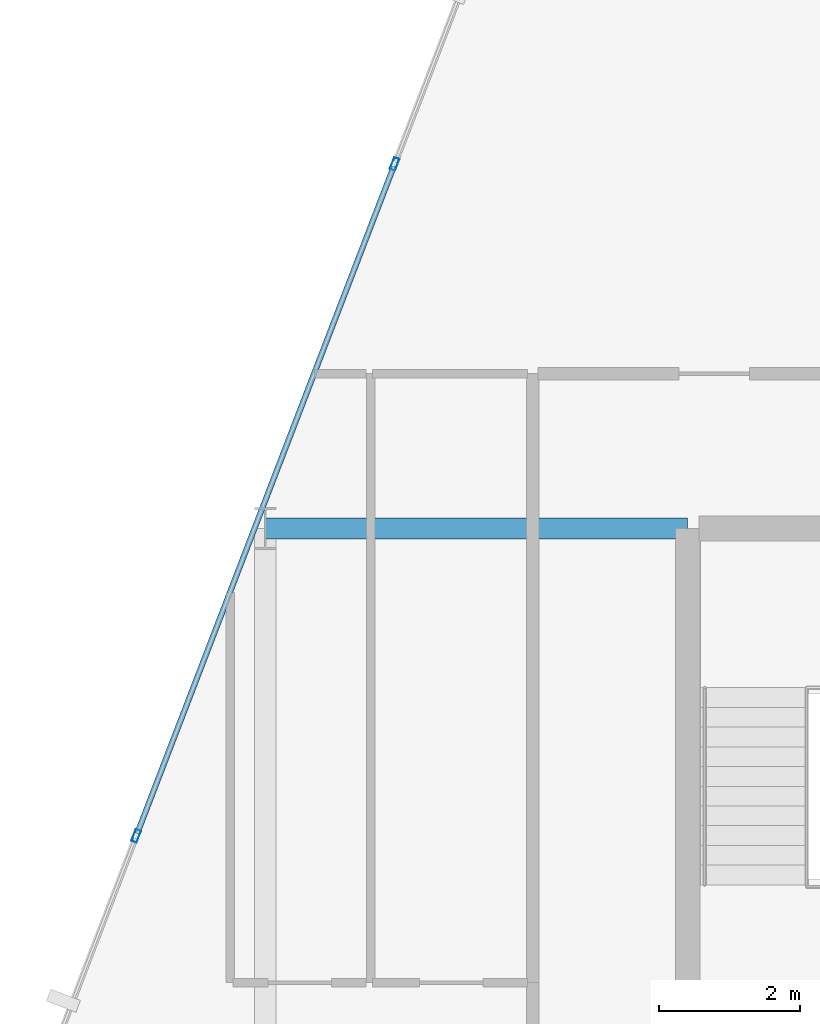
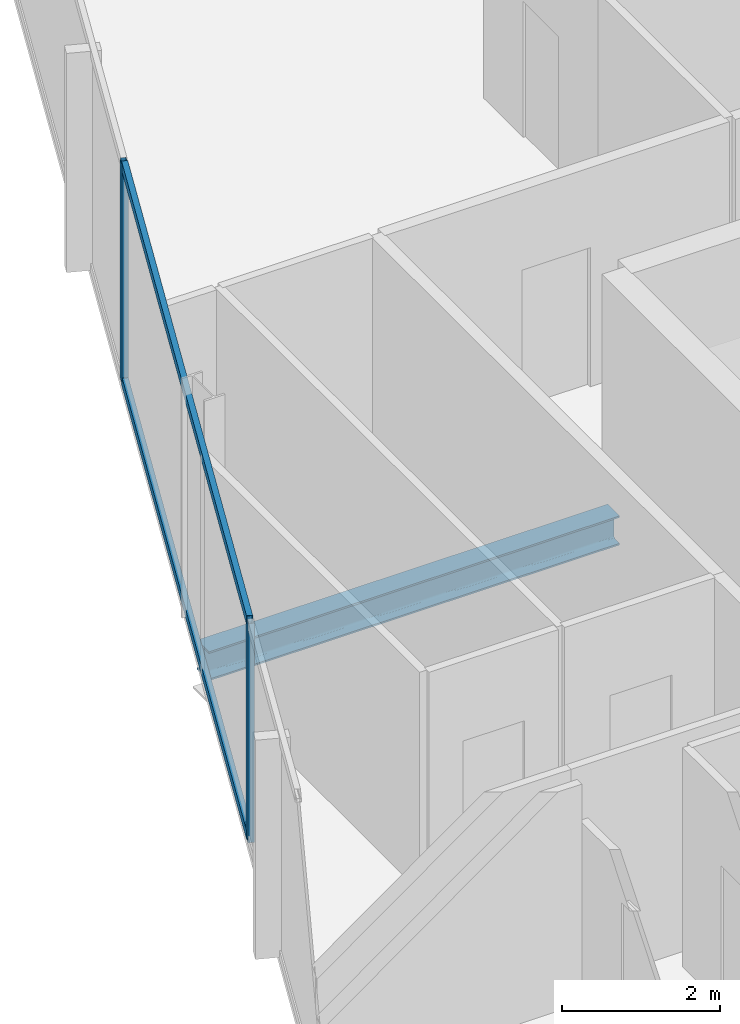
# One storey, part 14 of 30: 4 members, 1 beam, 1 element without a shape of its own.
"""IFC4 building model written with IfcOpenShell, lengths in metres."""

import ifcopenshell
import ifcopenshell.guid

model = None  # the IFC model being written
_history = None  # IfcOwnerHistory: only IFC2X3 demands one
_inside = {}  # id of a spatial element -> (the spatial element, [elements in it])
_under = {}  # id of a project, library or spatial element -> (it, [spatial elements below it])
_declared = {}  # id of a project -> (the project, [libraries it declares])
_typed = {}  # id of a type object -> (the type object, [elements of that type])
_made_of = {}  # id of a material, layer set ... -> (it, [elements and type objects made of it])


def new_model(schema):
    """Start an empty IFC model of exactly this schema.

    Asked for "IFC4X3", IfcOpenShell would pick the latest addendum, in which some entities
    have other attributes; the version numbers below select the first issue.
    IFC2X3 requires an IfcOwnerHistory on every rooted entity: one is made here for all.
    """
    global model, _history
    if schema == "IFC4X3":
        model = ifcopenshell.file(schema_version=(4, 3, 0, 0))
    else:
        model = ifcopenshell.file(schema=schema)
    _inside.clear()
    _under.clear()
    _declared.clear()
    _typed.clear()
    _made_of.clear()
    _history = None
    if model.schema == "IFC2X3":
        org = make("IfcOrganization", Name="unknown")
        user = make(
            "IfcPersonAndOrganization",
            ThePerson=make("IfcPerson", FamilyName="unknown"),
            TheOrganization=org,
        )
        app = make(
            "IfcApplication",
            ApplicationDeveloper=org,
            Version="unknown",
            ApplicationFullName="unknown",
            ApplicationIdentifier="unknown",
        )
        _history = make(
            "IfcOwnerHistory",
            OwningUser=user,
            OwningApplication=app,
            ChangeAction="ADDED",
            CreationDate=0,
        )
    return model


def make(cls, **values):
    """One entity of the class cls with the attributes given. An attribute that is None is left unset."""
    return model.create_entity(
        cls, **{name: value for name, value in values.items() if value is not None}
    )


def rooted(cls, **values):
    """An entity with a GlobalId (a new one), such as an element, a storey or a relation."""
    return make(cls, GlobalId=ifcopenshell.guid.new(), OwnerHistory=_history, **values)


def si_unit(unit_type, name, prefix=None):
    """IfcSIUnit, for example si_unit("LENGTHUNIT", "METRE", prefix="MILLI")."""
    return make("IfcSIUnit", UnitType=unit_type, Prefix=prefix, Name=name)


def assignment(units):
    """IfcUnitAssignment: the units of a project."""
    return None if units is None else make("IfcUnitAssignment", Units=units)


def point(xyz):
    """IfcCartesianPoint."""
    return None if xyz is None else make("IfcCartesianPoint", Coordinates=xyz)


def direction(xyz):
    """IfcDirection."""
    return None if xyz is None else make("IfcDirection", DirectionRatios=xyz)


def frame(location, z_axis=None, x_axis=None):
    """IfcAxis2Placement3D, a coordinate frame: its origin and axes. An axis left out is left unset."""
    return make(
        "IfcAxis2Placement3D",
        Location=point(location),
        Axis=direction(z_axis),
        RefDirection=direction(x_axis),
    )


def frame_2d(location, x_axis=None):
    """IfcAxis2Placement2D, a coordinate frame in the plane: its origin and x axis."""
    return make(
        "IfcAxis2Placement2D", Location=point(location), RefDirection=direction(x_axis)
    )


def origin():
    """The frame at (0, 0, 0) with its axes left unset."""
    return frame((0.0, 0.0, 0.0))


def origin_2d():
    """The frame at (0, 0) in the plane with its x axis left unset."""
    return frame_2d((0.0, 0.0))


def place(relative_to, where):
    """IfcLocalPlacement: puts the frame where relative to a parent placement (None: the world)."""
    return make(
        "IfcLocalPlacement", PlacementRelTo=relative_to, RelativePlacement=where
    )


def context(
    kind, dimensions, precision=None, world=None, true_north=None, identifier=None
):
    """IfcGeometricRepresentationContext, for example the 3D "Model" context."""
    return make(
        "IfcGeometricRepresentationContext",
        ContextIdentifier=identifier,
        ContextType=kind,
        CoordinateSpaceDimension=dimensions,
        Precision=precision,
        WorldCoordinateSystem=world,
        TrueNorth=true_north,
    )


def subcontext(parent, identifier, kind, view, scale=None):
    """IfcGeometricRepresentationSubContext, for example "Body" below "Model"."""
    return make(
        "IfcGeometricRepresentationSubContext",
        ContextIdentifier=identifier,
        ContextType=kind,
        ParentContext=parent,
        TargetScale=scale,
        TargetView=view,
    )


def project(units=None, contexts=None):
    """IfcProject with its units and contexts."""
    return rooted(
        "IfcProject",
        Name="project",
        RepresentationContexts=contexts,
        UnitsInContext=assignment(units),
    )


def spatial(cls, under=None, at=None, **own):
    """A site, building, storey or space (cls), placed at a placement, below another one or the project."""
    s = rooted(cls, ObjectPlacement=at, **own)
    if under is not None:
        _under.setdefault(under.id(), (under, []))[1].append(s)
    return s


def profile(cls, at=None, kind="AREA", **sizes):
    """A parametric profile (cls). Its sizes go by their IFC names, for example OverallWidth=200.0."""
    return make(cls, ProfileType=kind, Position=at, **sizes)


def hollow_rectangle(**sizes):
    """IfcRectangleHollowProfileDef."""
    return profile("IfcRectangleHollowProfileDef", **sizes)


def i_section(**sizes):
    """IfcIShapeProfileDef."""
    return profile("IfcIShapeProfileDef", **sizes)


def extrude(swept, where, along, depth):
    """IfcExtrudedAreaSolid: the profile swept, set in the frame where, extruded along a direction by depth."""
    return make(
        "IfcExtrudedAreaSolid",
        SweptArea=swept,
        Position=where,
        ExtrudedDirection=direction(along),
        Depth=depth,
    )


def shape(context_of_items, identifier, shape_type, items):
    """IfcShapeRepresentation: the items that make up one representation, for example the "Body"."""
    return make(
        "IfcShapeRepresentation",
        ContextOfItems=context_of_items,
        RepresentationIdentifier=identifier,
        RepresentationType=shape_type,
        Items=items,
    )


def material(Name=None, Category=None):
    """IfcMaterial."""
    return make("IfcMaterial", Name=Name, Category=Category)


def layer(
    of_material, thickness, ventilated=None, Name=None, Category=None, Priority=None
):
    """IfcMaterialLayer: one layer of a wall or slab, of a material (None: an air gap)."""
    return make(
        "IfcMaterialLayer",
        Material=of_material,
        LayerThickness=thickness,
        IsVentilated=ventilated,
        Name=Name,
        Category=Category,
        Priority=Priority,
    )


def layer_set(layers, Name=None):
    """IfcMaterialLayerSet."""
    return make("IfcMaterialLayerSet", MaterialLayers=layers, LayerSetName=Name)


def material_profile(
    of_material, cross_section, Name=None, Category=None, Priority=None
):
    """IfcMaterialProfile: a cross section and its material."""
    return make(
        "IfcMaterialProfile",
        Name=Name,
        Material=of_material,
        Profile=cross_section,
        Priority=Priority,
        Category=Category,
    )


def profile_set(profiles, Name=None, composite=None):
    """IfcMaterialProfileSet."""
    return make(
        "IfcMaterialProfileSet",
        Name=Name,
        MaterialProfiles=profiles,
        CompositeProfile=composite,
    )


def made_of(thing, what):
    """Note that an element or type object is made of a material, layer set ...; save() writes the relation."""
    if what is not None:
        _made_of.setdefault(what.id(), (what, []))[1].append(thing)
    return thing


def type_object(cls, material=None, **own):
    """A type object (cls), such as IfcWallType, which elements share."""
    return made_of(rooted(cls, **own), material)


def element(
    cls,
    number,
    at=None,
    inside=None,
    cuts=None,
    type_object=None,
    material=None,
    context=None,
    identifier="Body",
    shape_type=None,
    held_by="IfcProductDefinitionShape",
    body=None,
    shapes=None,
    **own,
):
    """One element of the class cls, such as IfcWall. Its Tag is "e" and its number.

    at: its placement. inside: the storey or other place that contains it. cuts: it is an
    opening in that element (IfcRelVoidsElement). A single representation is given by context,
    identifier, shape_type and body (its items); several are given by shapes. held_by: the class
    of the entity that holds the representations. save() writes the other relations.
    """
    e = rooted(cls, Tag="e%d" % number, ObjectPlacement=at, **own)
    if body is not None:
        shapes = [shape(context, identifier, shape_type, body)]
    if shapes is not None:
        e.Representation = make(held_by, Representations=shapes)
    if inside is not None:
        _inside.setdefault(inside.id(), (inside, []))[1].append(e)
    if cuts is not None:
        rooted(
            "IfcRelVoidsElement", RelatingBuildingElement=cuts, RelatedOpeningElement=e
        )
    if type_object is not None:
        _typed.setdefault(type_object.id(), (type_object, []))[1].append(e)
    return made_of(e, material)


def aggregate(whole, parts):
    """IfcRelAggregates: a whole, such as a stair, and the parts it consists of."""
    return rooted("IfcRelAggregates", RelatingObject=whole, RelatedObjects=parts)


def save(model, path):
    """Write the relations noted so far, then the file.

    IfcRelAggregates (storeys below a building ...), IfcRelContainedInSpatialStructure (elements
    in a storey), IfcRelDefinesByType, IfcRelAssociatesMaterial and IfcRelDeclares: one each for
    every whole, place, type object, material and project.
    """
    for whole, parts in _under.values():
        aggregate(whole, parts)
    for where, things in _inside.values():
        rooted(
            "IfcRelContainedInSpatialStructure",
            RelatedElements=things,
            RelatingStructure=where,
        )
    for kind, things in _typed.values():
        rooted("IfcRelDefinesByType", RelatedObjects=things, RelatingType=kind)
    for what, things in _made_of.values():
        rooted("IfcRelAssociatesMaterial", RelatedObjects=things, RelatingMaterial=what)
    for by, libraries in _declared.values():
        rooted("IfcRelDeclares", RelatingContext=by, RelatedDefinitions=libraries)
    model.write(path)


model = new_model("IFC4")

# Units and contexts
model_context = context("Model", 3, precision=1e-05, world=origin(), true_north=direction((0.0, 1.0)))
body_context = subcontext(model_context, "Body", "Model", "MODEL_VIEW")
ifc_project = project(units=[si_unit("LENGTHUNIT", "METRE"), si_unit("AREAUNIT", "SQUARE_METRE"), si_unit("VOLUMEUNIT", "CUBIC_METRE"), si_unit("PLANEANGLEUNIT", "RADIAN"), si_unit("MASSUNIT", "GRAM", prefix="KILO")], contexts=[model_context])

# Site, building, storey
site_placement = place(None, origin())
site = spatial("IfcSite", under=ifc_project, at=site_placement, CompositionType="ELEMENT")
building_placement = place(site_placement, origin())
building = spatial("IfcBuilding", under=site, at=building_placement, Name="Keshet Zoharim Tower", CompositionType="ELEMENT")
storey_placement = place(building_placement, frame((0.0, 0.0, 109.39990234375)))
storey = spatial("IfcBuildingStorey", under=building, at=storey_placement, Name="L26", CompositionType="ELEMENT", Elevation=109.39990234375)

# Beam
ifc_material_1 = material(Name="Steel S355", Category="steel")
ifc_material_profile_1 = material_profile(ifc_material_1, i_section(OverallWidth=0.300048828125, OverallDepth=0.449951171875, WebThickness=0.013916015625, FlangeThickness=0.02587890625, FilletRadius=0.027099609375, at=origin_2d()), Name="HEB450")
ifc_profile_set_1 = profile_set([ifc_material_profile_1], Name="Steel S355")
beam_type = type_object("IfcBeamType", Name="BM-WEB-HB450", PredefinedType="BEAM", material=ifc_profile_set_1)
beam_placement = place(storey_placement, frame((9.0, 37.89990234375, -0.539794921875), z_axis=(1.0, 0.0, 0.0), x_axis=(0.0, 1.0, 0.0)))
element("IfcBeam", 1, at=beam_placement, inside=storey, type_object=beam_type, Name="L26 Primary Girder X-018", PredefinedType="BEAM", context=body_context, shape_type="SweptSolid", body=[
    extrude(i_section(OverallWidth=0.300048828125, OverallDepth=0.449951171875, WebThickness=0.013916015625, FlangeThickness=0.02587890625, FilletRadius=0.027099609375, at=origin_2d()), origin(), (0.0, 0.0, 1.0), 6.0),
])

# Curtain wall, members
ifc_material_2 = material(Name="Aluminium 6063-T6", Category="aluminium")
ifc_layer = layer(ifc_material_2, 0.159912109375)
ifc_layer_set = layer_set([ifc_layer], Name="Aluminium 6063-T6")
curtain_wall_type = type_object("IfcCurtainWallType", Name="CW-SYS-03", PredefinedType="NOTDEFINED", material=ifc_layer_set)
curtain_wall_placement = place(storey_placement, origin())
curtain_wall = element("IfcCurtainWall", 2, at=curtain_wall_placement, inside=storey, type_object=curtain_wall_type, Name="L26 Unitised Curtain Wall 10", PredefinedType="NOTDEFINED")
ifc_material_profile_2 = material_profile(ifc_material_2, hollow_rectangle(XDim=0.080078125, YDim=0.179931640625, WallThickness=0.00439453125, at=origin_2d()), Name="MUL-80x180")
ifc_profile_set_2 = profile_set([ifc_material_profile_2], Name="Aluminium 6063-T6")
member_type_1 = type_object("IfcMemberType", Name="CWM-M18", PredefinedType="MULLION", material=ifc_profile_set_2)
member_1_placement = place(storey_placement, frame((7.1669921875, 33.53466796875, 0.0), z_axis=(0.0, 0.0, 1.0), x_axis=(-0.933341404361, 0.358990003907, 0.0)))
member_1 = element("IfcMember", 3, at=member_1_placement, type_object=member_type_1, Name="CW-03 mullion 2", PredefinedType="MULLION", context=body_context, shape_type="SweptSolid", body=[
    extrude(hollow_rectangle(XDim=0.080078125, YDim=0.179931640625, WallThickness=0.00439453125, at=origin_2d()), origin(), (0.0, 0.0, 1.0), 3.385009765625),
])
member_2_placement = place(storey_placement, frame((10.8369140625, 43.076416015625, 0.0), z_axis=(0.0, 0.0, 1.0), x_axis=(-0.933341404361, 0.358990003907, 0.0)))
member_2 = element("IfcMember", 4, at=member_2_placement, type_object=member_type_1, Name="CW-03 mullion 3", PredefinedType="MULLION", context=body_context, shape_type="SweptSolid", body=[
    extrude(hollow_rectangle(XDim=0.080078125, YDim=0.179931640625, WallThickness=0.00439453125, at=origin_2d()), origin(), (0.0, 0.0, 1.0), 3.385009765625),
])
ifc_material_profile_3 = material_profile(ifc_material_2, hollow_rectangle(XDim=0.080078125, YDim=0.139892578125, WallThickness=0.00390625, at=origin_2d()), Name="TRN-80x140")
ifc_profile_set_3 = profile_set([ifc_material_profile_3], Name="Aluminium 6063-T6")
member_type_2 = type_object("IfcMemberType", Name="CWT-T14", PredefinedType="USERDEFINED", material=ifc_profile_set_3)
member_3_placement = place(storey_placement, frame((7.179443359375, 33.5673828125, 0.03515625), z_axis=(0.359003248899, 0.933336309848, 0.0), x_axis=(-0.933336309848, 0.359003248899, 0.0)))
member_3 = element("IfcMember", 5, at=member_3_placement, type_object=member_type_2, Name="CW-03 transom 2.1", ObjectType="TRANSOM", PredefinedType="USERDEFINED", context=body_context, shape_type="SweptSolid", body=[
    extrude(hollow_rectangle(XDim=0.080078125, YDim=0.139892578125, WallThickness=0.00390625, at=origin_2d()), origin(), (0.0, 0.0, 1.0), 10.153076171875),
])
member_4_placement = place(storey_placement, frame((7.179443359375, 33.5673828125, 3.35009765625), z_axis=(0.359003248899, 0.933336309848, 0.0), x_axis=(-0.933336309848, 0.359003248899, 0.0)))
member_4 = element("IfcMember", 6, at=member_4_placement, type_object=member_type_2, Name="CW-03 transom 2.2", ObjectType="TRANSOM", PredefinedType="USERDEFINED", context=body_context, shape_type="SweptSolid", body=[
    extrude(hollow_rectangle(XDim=0.080078125, YDim=0.139892578125, WallThickness=0.00390625, at=origin_2d()), origin(), (0.0, 0.0, 1.0), 10.153076171875),
])
aggregate(curtain_wall, [member_1, member_2, member_3, member_4])

save(model, "model.ifc")
